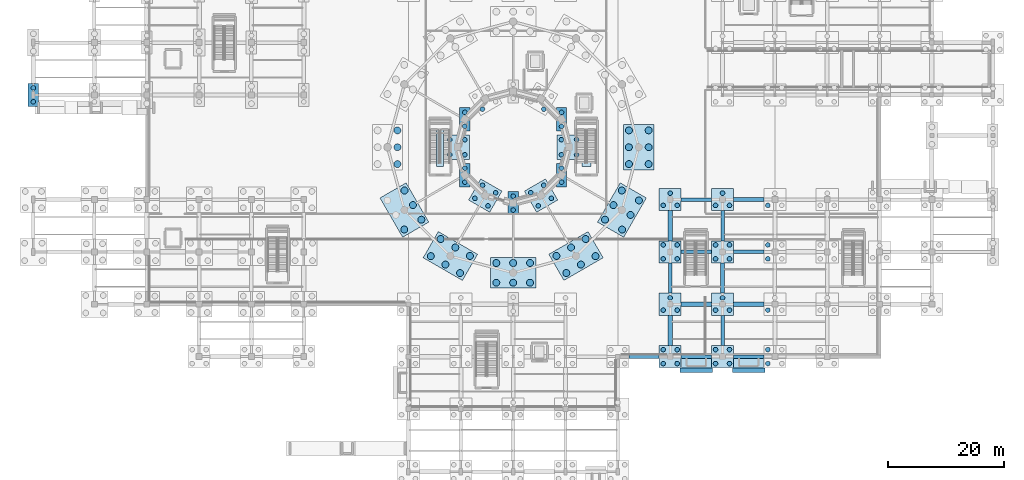
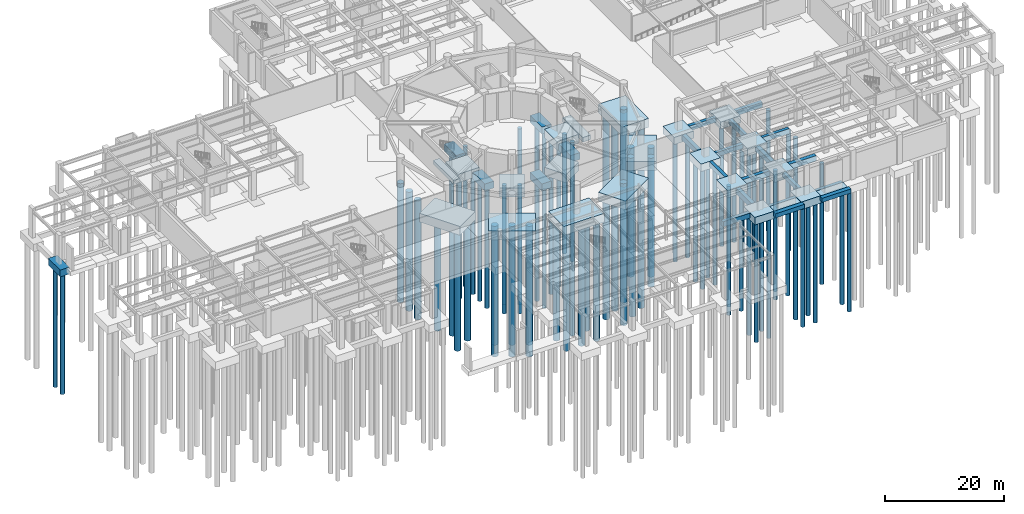
# One storey, part 3 of 36: 101 piles, 45 footings.
"""IFC4 building model written with IfcOpenShell, lengths in metres."""

from ifc_helpers import new_model, si_unit, direction, frame, origin, origin_2d, place, context, subcontext, project, spatial, rectangle, circle, extrude, material, material_profile, profile_set, type_object, element, save


model = new_model("IFC4")

# Units and contexts
model_context = context("Model", 3, precision=1e-05, world=origin(), true_north=direction((0.0, 1.0)))
body_context = subcontext(model_context, "Body", "Model", "MODEL_VIEW")
ifc_project = project(units=[si_unit("LENGTHUNIT", "METRE"), si_unit("AREAUNIT", "SQUARE_METRE"), si_unit("VOLUMEUNIT", "CUBIC_METRE"), si_unit("PLANEANGLEUNIT", "RADIAN"), si_unit("MASSUNIT", "GRAM", prefix="KILO")], contexts=[model_context])

# Site, building, storey
site_placement = place(None, origin())
site = spatial("IfcSite", under=ifc_project, at=site_placement, CompositionType="ELEMENT")
building_placement = place(site_placement, origin())
building = spatial("IfcBuilding", under=site, at=building_placement, Name="Haizhuo Lancet Aquarium", CompositionType="ELEMENT")
storey_placement = place(building_placement, frame((0.0, 0.0, -6.0)))
storey = spatial("IfcBuildingStorey", under=building, at=storey_placement, Name="B1", CompositionType="ELEMENT", Elevation=-6.0)

# Footings
ifc_material = material(Name="Concrete C40/50", Category="concrete")
footing_type_1 = type_object("IfcFootingType", Name="FCAP-PC2A", PredefinedType="PILE_CAP", material=ifc_material)
for number, where, z_axis, x_axis, name in (
    (1, (8.31396484375, 4.800048828125, -1.39990234375), (0.0, 0.0, 1.0), (1.0, 0.0, 0.0), "Pile cap PC-01 14"),
    (2, (-8.31396484375, 4.800048828125, -1.39990234375), (0.0, 0.0, 1.0), (1.0, 0.0, 0.0), "Pile cap PC-01 18"),
    (3, (-8.31396484375, -4.800048828125, -1.39990234375), (0.0, 0.0, 1.0), (1.0, 0.0, 0.0), "Pile cap PC-01 20"),
    (4, (0.0, -9.60009765625, -1.39990234375), (0.0, 0.0, 1.0), (1.0, 0.0, 0.0), "Pile cap PC-01 22"),
    (5, (8.31396484375, -4.800048828125, -1.39990234375), (0.0, 0.0, 1.0), (1.0, 0.0, 0.0), "Pile cap PC-01 24"),
    (6, (-82.5, 9.0, -1.39990234375), (0.0, 0.0, 1.0), (1.0, 0.0, 0.0), "Pile cap PC-01 25"),
):
    element("IfcFooting", number, at=place(storey_placement, frame(where, z_axis=z_axis, x_axis=x_axis)), inside=storey, type_object=footing_type_1, Name=name, PredefinedType="PILE_CAP", context=body_context, shape_type="SweptSolid", body=[
        extrude(rectangle(XDim=1.800048828125, YDim=4.0, at=origin_2d()), origin(), (0.0, 0.0, 1.0), 1.39990234375),
    ])
footing_type_2 = type_object("IfcFootingType", Name="FCAP-PC3A", PredefinedType="PILE_CAP", material=ifc_material)
for number, where, z_axis, x_axis, name in (
    (7, (27.0, -27.0, -1.4501953125), (0.0, 0.0, 1.0), (1.0, 0.0, 0.0), "Pile cap PC-03 43"),
    (8, (27.0, -9.0, -1.4501953125), (0.0, 0.0, 1.0), (1.0, 0.0, 0.0), "Pile cap PC-03 45"),
    (9, (36.0, -27.0, -1.4501953125), (0.0, 0.0, 1.0), (1.0, 0.0, 0.0), "Pile cap PC-03 47"),
    (10, (36.0, -9.0, -1.4501953125), (0.0, 0.0, 1.0), (1.0, 0.0, 0.0), "Pile cap PC-03 49"),
):
    element("IfcFooting", number, at=place(storey_placement, frame(where, z_axis=z_axis, x_axis=x_axis)), inside=storey, type_object=footing_type_2, Name=name, PredefinedType="PILE_CAP", context=body_context, shape_type="SweptSolid", body=[
        extrude(rectangle(XDim=3.800048828125, YDim=3.800048828125, at=origin_2d()), origin(), (0.0, 0.0, 1.0), 1.449951171875),
    ])
footing_type_3 = type_object("IfcFootingType", Name="FCAP-PC4A", PredefinedType="PILE_CAP", material=ifc_material)
for number, where, z_axis, x_axis, name in (
    (11, (27.0, -36.0, -1.5498046875), (0.0, 0.0, 1.0), (1.0, 0.0, 0.0), "Pile cap PC-04 42"),
    (12, (27.0, -18.0, -1.5498046875), (0.0, 0.0, 1.0), (1.0, 0.0, 0.0), "Pile cap PC-04 44"),
    (13, (36.0, -36.0, -1.5498046875), (0.0, 0.0, 1.0), (1.0, 0.0, 0.0), "Pile cap PC-04 46"),
    (14, (36.0, -18.0, -1.5498046875), (0.0, 0.0, 1.0), (1.0, 0.0, 0.0), "Pile cap PC-04 48"),
):
    element("IfcFooting", number, at=place(storey_placement, frame(where, z_axis=z_axis, x_axis=x_axis)), inside=storey, type_object=footing_type_3, Name=name, PredefinedType="PILE_CAP", context=body_context, shape_type="SweptSolid", body=[
        extrude(rectangle(XDim=3.800048828125, YDim=3.800048828125, at=origin_2d()), origin(), (0.0, 0.0, 1.0), 1.550048828125),
    ])
footing_type_4 = type_object("IfcFootingType", Name="FCAP-PC4D", PredefinedType="PILE_CAP", material=ifc_material)
for number, where, z_axis, x_axis, name in (
    (15, (9.60009765625, 0.0, -1.75), (0.0, 0.0, 1.0), (1.0, 0.0, 0.0), "Pile cap PC-07 13"),
    (16, (-9.60009765625, 0.0, -1.75), (0.0, 0.0, 1.0), (-1.0, 0.0, 0.0), "Pile cap PC-07 19"),
    (17, (-4.800048828125, -8.31396484375, -1.75), (0.0, 0.0, 1.0), (-0.5, -0.866025403784, 0.0), "Pile cap PC-07 21"),
    (18, (4.800048828125, -8.31396484375, -1.75), (0.0, 0.0, 1.0), (0.5, -0.866025403784, 0.0), "Pile cap PC-07 23"),
):
    element("IfcFooting", number, at=place(storey_placement, frame(where, z_axis=z_axis, x_axis=x_axis)), inside=storey, type_object=footing_type_4, Name=name, PredefinedType="PILE_CAP", context=body_context, shape_type="SweptSolid", body=[
        extrude(rectangle(XDim=4.199951171875, YDim=4.199951171875, at=origin_2d()), origin(), (0.0, 0.0, 1.0), 1.75),
    ])
footing_type_5 = type_object("IfcFootingType", Name="FCAP-PC6B", PredefinedType="PILE_CAP", material=ifc_material)
for number, where, z_axis, x_axis, name in (
    (19, (21.60009765625, 0.0, -1.7998046875), (0.0, 0.0, 1.0), (1.0, 0.0, 0.0), "Pile cap PC-08 1"),
    (20, (-18.7060546875, -10.800048828125, -1.7998046875), (0.0, 0.0, 1.0), (-0.866025403784, -0.5, 0.0), "Pile cap PC-08 8"),
    (21, (-10.800048828125, -18.7060546875, -1.7998046875), (0.0, 0.0, 1.0), (-0.5, -0.866025403784, 0.0), "Pile cap PC-08 9"),
    (22, (0.0, -21.60009765625, -1.7998046875), (0.0, 0.0, 1.0), (0.0, -1.0, 0.0), "Pile cap PC-08 10"),
    (23, (10.800048828125, -18.7060546875, -1.7998046875), (0.0, 0.0, 1.0), (0.5, -0.866025403784, 0.0), "Pile cap PC-08 11"),
    (24, (18.7060546875, -10.800048828125, -1.7998046875), (0.0, 0.0, 1.0), (0.866025403784, -0.5, 0.0), "Pile cap PC-08 12"),
):
    element("IfcFooting", number, at=place(storey_placement, frame(where, z_axis=z_axis, x_axis=x_axis)), inside=storey, type_object=footing_type_5, Name=name, PredefinedType="PILE_CAP", context=body_context, shape_type="SweptSolid", body=[
        extrude(rectangle(XDim=5.199951171875, YDim=7.800048828125, at=origin_2d()), origin(), (0.0, 0.0, 1.0), 1.800048828125),
    ])
footing_type_6 = type_object("IfcFootingType", Name="FPAD-2200", PredefinedType="PAD_FOOTING", material=ifc_material)
footing_1_placement = place(storey_placement, frame((31.5, -38.31005859375, -0.85009765625), z_axis=(0.0, 0.0, 1.0), x_axis=(1.0, 0.0, 0.0)))
element("IfcFooting", 25, at=footing_1_placement, inside=storey, type_object=footing_type_6, material=ifc_material, Name="Entrance apron footing 6.1", PredefinedType="PAD_FOOTING", context=body_context, shape_type="SweptSolid", body=[
    extrude(rectangle(XDim=5.60009765625, YDim=0.780029296875, at=origin_2d()), origin(), (0.0, 0.0, 1.0), 0.85009765625),
])
footing_2_placement = place(storey_placement, frame((31.5, -37.1201171875, -0.85009765625), z_axis=(0.0, 0.0, 1.0), x_axis=(1.0, 0.0, 0.0)))
element("IfcFooting", 26, at=footing_2_placement, inside=storey, type_object=footing_type_6, material=ifc_material, Name="Entrance apron footing 6.2", PredefinedType="PAD_FOOTING", context=body_context, shape_type="SweptSolid", body=[
    extrude(rectangle(XDim=5.159912109375, YDim=1.60009765625, at=origin_2d()), origin(), (0.0, 0.0, 1.0), 0.85009765625),
])
footing_3_placement = place(storey_placement, frame((40.5, -38.31005859375, -0.85009765625), z_axis=(0.0, 0.0, 1.0), x_axis=(1.0, 0.0, 0.0)))
element("IfcFooting", 27, at=footing_3_placement, inside=storey, type_object=footing_type_6, material=ifc_material, Name="Entrance apron footing 7.1", PredefinedType="PAD_FOOTING", context=body_context, shape_type="SweptSolid", body=[
    extrude(rectangle(XDim=5.60009765625, YDim=0.780029296875, at=origin_2d()), origin(), (0.0, 0.0, 1.0), 0.85009765625),
])
footing_4_placement = place(storey_placement, frame((40.5, -37.1201171875, -0.85009765625), z_axis=(0.0, 0.0, 1.0), x_axis=(1.0, 0.0, 0.0)))
element("IfcFooting", 28, at=footing_4_placement, inside=storey, type_object=footing_type_6, material=ifc_material, Name="Entrance apron footing 7.2", PredefinedType="PAD_FOOTING", context=body_context, shape_type="SweptSolid", body=[
    extrude(rectangle(XDim=5.159912109375, YDim=1.60009765625, at=origin_2d()), origin(), (0.0, 0.0, 1.0), 0.85009765625),
])
footing_type_7 = type_object("IfcFootingType", Name="FSF-1200x800", PredefinedType="STRIP_FOOTING", material=ifc_material)
footing_5_placement = place(storey_placement, frame((-12.60009765625, 0.125, -0.7998046875), z_axis=(0.0, 0.0, 1.0), x_axis=(0.0, 1.0, 0.0)))
element("IfcFooting", 29, at=footing_5_placement, inside=storey, type_object=footing_type_7, Name="Core wall strip footing 1", PredefinedType="STRIP_FOOTING", context=body_context, shape_type="SweptSolid", body=[
    extrude(rectangle(XDim=6.800048828125, YDim=1.199951171875, at=origin_2d()), origin(), (0.0, 0.0, 1.0), 0.800048828125),
])
footing_type_8 = type_object("IfcFootingType", Name="FSF-1500x900", PredefinedType="STRIP_FOOTING", material=ifc_material)
footing_6_placement = place(storey_placement, frame((12.60009765625, 0.125, -0.89990234375), z_axis=(0.0, 0.0, 1.0), x_axis=(0.0, 1.0, 0.0)))
element("IfcFooting", 30, at=footing_6_placement, inside=storey, type_object=footing_type_8, Name="Core wall strip footing 2", PredefinedType="STRIP_FOOTING", context=body_context, shape_type="SweptSolid", body=[
    extrude(rectangle(XDim=6.800048828125, YDim=1.5, at=origin_2d()), origin(), (0.0, 0.0, 1.0), 0.89990234375),
])
footing_type_9 = type_object("IfcFootingType", Name="FTB-600x1000", PredefinedType="FOOTING_BEAM", material=ifc_material)
for number, where, z_axis, x_axis, name in (
    (31, (27.0, -22.5, -1.0), (0.0, 0.0, 1.0), (0.0, 1.0, 0.0), "Foundation tie beam 122"),
    (32, (31.5, -9.0, -1.0), (0.0, 0.0, 1.0), (1.0, 0.0, 0.0), "Foundation tie beam 126"),
    (33, (40.5, -36.0, -1.0), (0.0, 0.0, 1.0), (1.0, 0.0, 0.0), "Foundation tie beam 130"),
    (34, (40.5, -18.0, -1.0), (0.0, 0.0, 1.0), (1.0, 0.0, 0.0), "Foundation tie beam 134"),
):
    element("IfcFooting", number, at=place(storey_placement, frame(where, z_axis=z_axis, x_axis=x_axis)), inside=storey, type_object=footing_type_9, Name=name, PredefinedType="FOOTING_BEAM", context=body_context, shape_type="SweptSolid", body=[
        extrude(rectangle(XDim=5.199951171875, YDim=0.60009765625, at=origin_2d()), origin(), (0.0, 0.0, 1.0), 1.0),
    ])
footing_type_10 = type_object("IfcFootingType", Name="FTB-600x900", PredefinedType="FOOTING_BEAM", material=ifc_material)
for number, where, z_axis, x_axis, name in (
    (35, (31.5, -36.0, -0.89990234375), (0.0, 0.0, 1.0), (1.0, 0.0, 0.0), "Foundation tie beam 121"),
    (36, (31.5, -18.0, -0.89990234375), (0.0, 0.0, 1.0), (1.0, 0.0, 0.0), "Foundation tie beam 125"),
    (37, (36.0, -31.5, -0.89990234375), (0.0, 0.0, 1.0), (0.0, 1.0, 0.0), "Foundation tie beam 129"),
    (38, (36.0, -13.5, -0.89990234375), (0.0, 0.0, 1.0), (0.0, 1.0, 0.0), "Foundation tie beam 133"),
):
    element("IfcFooting", number, at=place(storey_placement, frame(where, z_axis=z_axis, x_axis=x_axis)), inside=storey, type_object=footing_type_10, Name=name, PredefinedType="FOOTING_BEAM", context=body_context, shape_type="SweptSolid", body=[
        extrude(rectangle(XDim=5.199951171875, YDim=0.60009765625, at=origin_2d()), origin(), (0.0, 0.0, 1.0), 0.89990234375),
    ])
footing_type_11 = type_object("IfcFootingType", Name="FTB-700x1050", PredefinedType="FOOTING_BEAM", material=ifc_material)
for number, where, z_axis, x_axis, name in (
    (39, (22.5, -36.0, -1.0498046875), (0.0, 0.0, 1.0), (1.0, 0.0, 0.0), "Foundation tie beam 115"),
    (40, (31.5, -27.0, -1.0498046875), (0.0, 0.0, 1.0), (1.0, 0.0, 0.0), "Foundation tie beam 123"),
    (41, (36.0, -22.5, -1.0498046875), (0.0, 0.0, 1.0), (0.0, 1.0, 0.0), "Foundation tie beam 131"),
    (42, (40.5, -9.0, -1.0498046875), (0.0, 0.0, 1.0), (1.0, 0.0, 0.0), "Foundation tie beam 135"),
):
    element("IfcFooting", number, at=place(storey_placement, frame(where, z_axis=z_axis, x_axis=x_axis)), inside=storey, type_object=footing_type_11, Name=name, PredefinedType="FOOTING_BEAM", context=body_context, shape_type="SweptSolid", body=[
        extrude(rectangle(XDim=5.199951171875, YDim=0.699951171875, at=origin_2d()), origin(), (0.0, 0.0, 1.0), 1.050048828125),
    ])
footing_type_12 = type_object("IfcFootingType", Name="FTB-750x1100", PredefinedType="FOOTING_BEAM", material=ifc_material)
for number, where, z_axis, x_axis, name in (
    (43, (27.0, -31.5, -1.10009765625), (0.0, 0.0, 1.0), (0.0, 1.0, 0.0), "Foundation tie beam 120"),
    (44, (27.0, -13.5, -1.10009765625), (0.0, 0.0, 1.0), (0.0, 1.0, 0.0), "Foundation tie beam 124"),
    (45, (40.5, -27.0, -1.10009765625), (0.0, 0.0, 1.0), (1.0, 0.0, 0.0), "Foundation tie beam 132"),
):
    element("IfcFooting", number, at=place(storey_placement, frame(where, z_axis=z_axis, x_axis=x_axis)), inside=storey, type_object=footing_type_12, Name=name, PredefinedType="FOOTING_BEAM", context=body_context, shape_type="SweptSolid", body=[
        extrude(rectangle(XDim=5.199951171875, YDim=0.75, at=origin_2d()), origin(), (0.0, 0.0, 1.0), 1.10009765625),
    ])

# Piles
ifc_material_profile_1 = material_profile(ifc_material, circle(Radius=0.60009765625, at=origin_2d()), Name="PILE-1200")
ifc_profile_set_1 = profile_set([ifc_material_profile_1], Name="Concrete C40/50")
pile_type_1 = type_object("IfcPileType", Name="PILE-BORED-1200", PredefinedType="BORED", material=ifc_profile_set_1)
for number, where, z_axis, x_axis, name in (
    (46, (19.89990234375, -2.89990234375, -1.64990234375), (0.0, 0.0, -1.0), (1.0, 0.0, 0.0), "Bored pile P-03 1.1"),
    (47, (23.300048828125, -2.89990234375, -1.64990234375), (0.0, 0.0, -1.0), (1.0, 0.0, 0.0), "Bored pile P-03 1.2"),
    (48, (19.89990234375, 0.0, -1.64990234375), (0.0, 0.0, -1.0), (1.0, 0.0, 0.0), "Bored pile P-03 1.3"),
    (49, (23.300048828125, 0.0, -1.64990234375), (0.0, 0.0, -1.0), (1.0, 0.0, 0.0), "Bored pile P-03 1.4"),
    (50, (19.89990234375, 2.89990234375, -1.64990234375), (0.0, 0.0, -1.0), (1.0, 0.0, 0.0), "Bored pile P-03 1.5"),
    (51, (23.300048828125, 2.89990234375, -1.64990234375), (0.0, 0.0, -1.0), (1.0, 0.0, 0.0), "Bored pile P-03 1.6"),
    (52, (-19.89990234375, 2.89990234375, -1.64990234375), (0.0, 0.0, -1.0), (1.0, 0.0, 0.0), "Bored pile P-03 7.1"),
    (53, (-19.89990234375, 0.0, -1.64990234375), (0.0, 0.0, -1.0), (1.0, 0.0, 0.0), "Bored pile P-03 7.3"),
    (54, (-19.89990234375, -2.89990234375, -1.64990234375), (0.0, 0.0, -1.0), (1.0, 0.0, 0.0), "Bored pile P-03 7.5"),
    (55, (-18.68408203125, -7.43896484375, -1.64990234375), (0.0, 0.0, -1.0), (1.0, 0.0, 0.0), "Bored pile P-03 8.1"),
    (56, (-17.23388671875, -9.949951171875, -1.64990234375), (0.0, 0.0, -1.0), (1.0, 0.0, 0.0), "Bored pile P-03 8.3"),
    (57, (-15.783935546875, -12.4609375, -1.64990234375), (0.0, 0.0, -1.0), (1.0, 0.0, 0.0), "Bored pile P-03 8.5"),
    (58, (-18.72802734375, -14.160888671875, -1.64990234375), (0.0, 0.0, -1.0), (1.0, 0.0, 0.0), "Bored pile P-03 8.6"),
    (59, (-12.4609375, -15.783935546875, -1.64990234375), (0.0, 0.0, -1.0), (1.0, 0.0, 0.0), "Bored pile P-03 9.1"),
    (60, (-14.160888671875, -18.72802734375, -1.64990234375), (0.0, 0.0, -1.0), (1.0, 0.0, 0.0), "Bored pile P-03 9.2"),
    (61, (-9.949951171875, -17.23388671875, -1.64990234375), (0.0, 0.0, -1.0), (1.0, 0.0, 0.0), "Bored pile P-03 9.3"),
    (62, (-11.64990234375, -20.177978515625, -1.64990234375), (0.0, 0.0, -1.0), (1.0, 0.0, 0.0), "Bored pile P-03 9.4"),
    (63, (-7.43896484375, -18.68408203125, -1.64990234375), (0.0, 0.0, -1.0), (1.0, 0.0, 0.0), "Bored pile P-03 9.5"),
    (64, (-9.138916015625, -21.6279296875, -1.64990234375), (0.0, 0.0, -1.0), (1.0, 0.0, 0.0), "Bored pile P-03 9.6"),
    (65, (-2.89990234375, -19.89990234375, -1.64990234375), (0.0, 0.0, -1.0), (1.0, 0.0, 0.0), "Bored pile P-03 10.1"),
    (66, (-2.89990234375, -23.300048828125, -1.64990234375), (0.0, 0.0, -1.0), (1.0, 0.0, 0.0), "Bored pile P-03 10.2"),
    (67, (0.0, -19.89990234375, -1.64990234375), (0.0, 0.0, -1.0), (1.0, 0.0, 0.0), "Bored pile P-03 10.3"),
    (68, (0.0, -23.300048828125, -1.64990234375), (0.0, 0.0, -1.0), (1.0, 0.0, 0.0), "Bored pile P-03 10.4"),
    (69, (2.89990234375, -19.89990234375, -1.64990234375), (0.0, 0.0, -1.0), (1.0, 0.0, 0.0), "Bored pile P-03 10.5"),
    (70, (2.89990234375, -23.300048828125, -1.64990234375), (0.0, 0.0, -1.0), (1.0, 0.0, 0.0), "Bored pile P-03 10.6"),
    (71, (7.43896484375, -18.68408203125, -1.64990234375), (0.0, 0.0, -1.0), (1.0, 0.0, 0.0), "Bored pile P-03 11.1"),
    (72, (9.138916015625, -21.6279296875, -1.64990234375), (0.0, 0.0, -1.0), (1.0, 0.0, 0.0), "Bored pile P-03 11.2"),
    (73, (9.949951171875, -17.23388671875, -1.64990234375), (0.0, 0.0, -1.0), (1.0, 0.0, 0.0), "Bored pile P-03 11.3"),
    (74, (11.64990234375, -20.177978515625, -1.64990234375), (0.0, 0.0, -1.0), (1.0, 0.0, 0.0), "Bored pile P-03 11.4"),
    (75, (12.4609375, -15.783935546875, -1.64990234375), (0.0, 0.0, -1.0), (1.0, 0.0, 0.0), "Bored pile P-03 11.5"),
    (76, (14.160888671875, -18.72802734375, -1.64990234375), (0.0, 0.0, -1.0), (1.0, 0.0, 0.0), "Bored pile P-03 11.6"),
    (77, (15.783935546875, -12.4609375, -1.64990234375), (0.0, 0.0, -1.0), (1.0, 0.0, 0.0), "Bored pile P-03 12.1"),
    (78, (18.72802734375, -14.160888671875, -1.64990234375), (0.0, 0.0, -1.0), (1.0, 0.0, 0.0), "Bored pile P-03 12.2"),
    (79, (17.23388671875, -9.949951171875, -1.64990234375), (0.0, 0.0, -1.0), (1.0, 0.0, 0.0), "Bored pile P-03 12.3"),
    (80, (20.177978515625, -11.64990234375, -1.64990234375), (0.0, 0.0, -1.0), (1.0, 0.0, 0.0), "Bored pile P-03 12.4"),
    (81, (18.68408203125, -7.43896484375, -1.64990234375), (0.0, 0.0, -1.0), (1.0, 0.0, 0.0), "Bored pile P-03 12.5"),
    (82, (21.6279296875, -9.138916015625, -1.64990234375), (0.0, 0.0, -1.0), (1.0, 0.0, 0.0), "Bored pile P-03 12.6"),
):
    element("IfcPile", number, at=place(storey_placement, frame(where, z_axis=z_axis, x_axis=x_axis)), inside=storey, type_object=pile_type_1, Name=name, PredefinedType="BORED", context=body_context, shape_type="SweptSolid", body=[
        extrude(circle(Radius=0.60009765625, at=origin_2d()), origin(), (0.0, 0.0, 1.0), 24.35009765625),
    ])
ifc_material_profile_2 = material_profile(ifc_material, circle(Radius=0.39990234375, at=origin_2d()), Name="PILE-800")
ifc_profile_set_2 = profile_set([ifc_material_profile_2], Name="Concrete C40/50")
pile_type_2 = type_object("IfcPileType", Name="PILE-BORED-800", PredefinedType="BORED", material=ifc_profile_set_2)
for number, where, z_axis, x_axis, name in (
    (83, (8.300048828125, -1.300048828125, -1.60009765625), (0.0, 0.0, -1.0), (1.0, 0.0, 0.0), "Bored pile P-01 13.1"),
    (84, (10.89990234375, -1.300048828125, -1.60009765625), (0.0, 0.0, -1.0), (1.0, 0.0, 0.0), "Bored pile P-01 13.2"),
    (85, (8.300048828125, 1.300048828125, -1.60009765625), (0.0, 0.0, -1.0), (1.0, 0.0, 0.0), "Bored pile P-01 13.3"),
    (86, (10.89990234375, 1.300048828125, -1.60009765625), (0.0, 0.0, -1.0), (1.0, 0.0, 0.0), "Bored pile P-01 13.4"),
):
    element("IfcPile", number, at=place(storey_placement, frame(where, z_axis=z_axis, x_axis=x_axis)), inside=storey, type_object=pile_type_2, Name=name, PredefinedType="BORED", context=body_context, shape_type="SweptSolid", body=[
        extrude(circle(Radius=0.39990234375, at=origin_2d()), origin(), (0.0, 0.0, 1.0), 24.39990234375),
    ])
for number, where, z_axis, x_axis, name in (
    (87, (8.31396484375, 3.60009765625, -1.25), (0.0, 0.0, -1.0), (1.0, 0.0, 0.0), "Bored pile P-01 14.1"),
    (88, (8.31396484375, 6.0, -1.25), (0.0, 0.0, -1.0), (1.0, 0.0, 0.0), "Bored pile P-01 14.2"),
):
    element("IfcPile", number, at=place(storey_placement, frame(where, z_axis=z_axis, x_axis=x_axis)), inside=storey, type_object=pile_type_2, Name=name, PredefinedType="BORED", context=body_context, shape_type="SweptSolid", body=[
        extrude(circle(Radius=0.39990234375, at=origin_2d()), origin(), (0.0, 0.0, 1.0), 24.75),
    ])
for number, where, z_axis, x_axis, name in (
    (89, (5.27587890625, 6.5380859375, -1.60009765625), (0.0, 0.0, -1.0), (1.0, 0.0, 0.0), "Bored pile P-01 15.1"),
    (90, (-5.27587890625, 6.5380859375, -1.60009765625), (0.0, 0.0, -1.0), (1.0, 0.0, 0.0), "Bored pile P-01 17.3"),
):
    element("IfcPile", number, at=place(storey_placement, frame(where, z_axis=z_axis, x_axis=x_axis)), inside=storey, type_object=pile_type_2, Name=name, PredefinedType="BORED", context=body_context, shape_type="SweptSolid", body=[
        extrude(circle(Radius=0.39990234375, at=origin_2d()), origin(), (0.0, 0.0, 1.0), 24.39990234375),
    ])
for number, where, z_axis, x_axis, name in (
    (91, (-8.31396484375, 3.60009765625, -1.25), (0.0, 0.0, -1.0), (1.0, 0.0, 0.0), "Bored pile P-01 18.1"),
    (92, (-8.31396484375, 6.0, -1.25), (0.0, 0.0, -1.0), (1.0, 0.0, 0.0), "Bored pile P-01 18.2"),
):
    element("IfcPile", number, at=place(storey_placement, frame(where, z_axis=z_axis, x_axis=x_axis)), inside=storey, type_object=pile_type_2, Name=name, PredefinedType="BORED", context=body_context, shape_type="SweptSolid", body=[
        extrude(circle(Radius=0.39990234375, at=origin_2d()), origin(), (0.0, 0.0, 1.0), 24.75),
    ])
for number, where, z_axis, x_axis, name in (
    (93, (-8.300048828125, 1.300048828125, -1.60009765625), (0.0, 0.0, -1.0), (1.0, 0.0, 0.0), "Bored pile P-01 19.1"),
    (94, (-10.89990234375, 1.300048828125, -1.60009765625), (0.0, 0.0, -1.0), (1.0, 0.0, 0.0), "Bored pile P-01 19.2"),
    (95, (-8.300048828125, -1.300048828125, -1.60009765625), (0.0, 0.0, -1.0), (1.0, 0.0, 0.0), "Bored pile P-01 19.3"),
    (96, (-10.89990234375, -1.300048828125, -1.60009765625), (0.0, 0.0, -1.0), (1.0, 0.0, 0.0), "Bored pile P-01 19.4"),
):
    element("IfcPile", number, at=place(storey_placement, frame(where, z_axis=z_axis, x_axis=x_axis)), inside=storey, type_object=pile_type_2, Name=name, PredefinedType="BORED", context=body_context, shape_type="SweptSolid", body=[
        extrude(circle(Radius=0.39990234375, at=origin_2d()), origin(), (0.0, 0.0, 1.0), 24.39990234375),
    ])
for number, where, z_axis, x_axis, name in (
    (97, (-8.31396484375, -6.0, -1.25), (0.0, 0.0, -1.0), (1.0, 0.0, 0.0), "Bored pile P-01 20.1"),
    (98, (-8.31396484375, -3.60009765625, -1.25), (0.0, 0.0, -1.0), (1.0, 0.0, 0.0), "Bored pile P-01 20.2"),
):
    element("IfcPile", number, at=place(storey_placement, frame(where, z_axis=z_axis, x_axis=x_axis)), inside=storey, type_object=pile_type_2, Name=name, PredefinedType="BORED", context=body_context, shape_type="SweptSolid", body=[
        extrude(circle(Radius=0.39990234375, at=origin_2d()), origin(), (0.0, 0.0, 1.0), 24.75),
    ])
for number, where, z_axis, x_axis, name in (
    (99, (-5.27587890625, -6.5380859375, -1.60009765625), (0.0, 0.0, -1.0), (1.0, 0.0, 0.0), "Bored pile P-01 21.1"),
    (100, (-6.575927734375, -8.7900390625, -1.60009765625), (0.0, 0.0, -1.0), (1.0, 0.0, 0.0), "Bored pile P-01 21.2"),
    (101, (-3.02392578125, -7.837890625, -1.60009765625), (0.0, 0.0, -1.0), (1.0, 0.0, 0.0), "Bored pile P-01 21.3"),
    (102, (-4.323974609375, -10.090087890625, -1.60009765625), (0.0, 0.0, -1.0), (1.0, 0.0, 0.0), "Bored pile P-01 21.4"),
):
    element("IfcPile", number, at=place(storey_placement, frame(where, z_axis=z_axis, x_axis=x_axis)), inside=storey, type_object=pile_type_2, Name=name, PredefinedType="BORED", context=body_context, shape_type="SweptSolid", body=[
        extrude(circle(Radius=0.39990234375, at=origin_2d()), origin(), (0.0, 0.0, 1.0), 24.39990234375),
    ])
for number, where, z_axis, x_axis, name in (
    (103, (0.0, -10.800048828125, -1.25), (0.0, 0.0, -1.0), (1.0, 0.0, 0.0), "Bored pile P-01 22.1"),
    (104, (0.0, -8.39990234375, -1.25), (0.0, 0.0, -1.0), (1.0, 0.0, 0.0), "Bored pile P-01 22.2"),
):
    element("IfcPile", number, at=place(storey_placement, frame(where, z_axis=z_axis, x_axis=x_axis)), inside=storey, type_object=pile_type_2, Name=name, PredefinedType="BORED", context=body_context, shape_type="SweptSolid", body=[
        extrude(circle(Radius=0.39990234375, at=origin_2d()), origin(), (0.0, 0.0, 1.0), 24.75),
    ])
for number, where, z_axis, x_axis, name in (
    (105, (3.02392578125, -7.837890625, -1.60009765625), (0.0, 0.0, -1.0), (1.0, 0.0, 0.0), "Bored pile P-01 23.1"),
    (106, (4.323974609375, -10.090087890625, -1.60009765625), (0.0, 0.0, -1.0), (1.0, 0.0, 0.0), "Bored pile P-01 23.2"),
    (107, (5.27587890625, -6.5380859375, -1.60009765625), (0.0, 0.0, -1.0), (1.0, 0.0, 0.0), "Bored pile P-01 23.3"),
    (108, (6.575927734375, -8.7900390625, -1.60009765625), (0.0, 0.0, -1.0), (1.0, 0.0, 0.0), "Bored pile P-01 23.4"),
):
    element("IfcPile", number, at=place(storey_placement, frame(where, z_axis=z_axis, x_axis=x_axis)), inside=storey, type_object=pile_type_2, Name=name, PredefinedType="BORED", context=body_context, shape_type="SweptSolid", body=[
        extrude(circle(Radius=0.39990234375, at=origin_2d()), origin(), (0.0, 0.0, 1.0), 24.39990234375),
    ])
for number, where, z_axis, x_axis, name in (
    (109, (8.31396484375, -6.0, -1.25), (0.0, 0.0, -1.0), (1.0, 0.0, 0.0), "Bored pile P-01 24.1"),
    (110, (8.31396484375, -3.60009765625, -1.25), (0.0, 0.0, -1.0), (1.0, 0.0, 0.0), "Bored pile P-01 24.2"),
    (111, (-82.5, 7.800048828125, -1.25), (0.0, 0.0, -1.0), (1.0, 0.0, 0.0), "Bored pile P-01 25.1"),
    (112, (-82.5, 10.199951171875, -1.25), (0.0, 0.0, -1.0), (1.0, 0.0, 0.0), "Bored pile P-01 25.2"),
):
    element("IfcPile", number, at=place(storey_placement, frame(where, z_axis=z_axis, x_axis=x_axis)), inside=storey, type_object=pile_type_2, Name=name, PredefinedType="BORED", context=body_context, shape_type="SweptSolid", body=[
        extrude(circle(Radius=0.39990234375, at=origin_2d()), origin(), (0.0, 0.0, 1.0), 24.75),
    ])
for number, where, z_axis, x_axis, name in (
    (113, (25.800048828125, -37.199951171875, -1.39990234375), (0.0, 0.0, -1.0), (1.0, 0.0, 0.0), "Bored pile P-01 42.1"),
    (114, (28.199951171875, -37.199951171875, -1.39990234375), (0.0, 0.0, -1.0), (1.0, 0.0, 0.0), "Bored pile P-01 42.2"),
    (115, (25.800048828125, -34.800048828125, -1.39990234375), (0.0, 0.0, -1.0), (1.0, 0.0, 0.0), "Bored pile P-01 42.3"),
    (116, (28.199951171875, -34.800048828125, -1.39990234375), (0.0, 0.0, -1.0), (1.0, 0.0, 0.0), "Bored pile P-01 42.4"),
):
    element("IfcPile", number, at=place(storey_placement, frame(where, z_axis=z_axis, x_axis=x_axis)), inside=storey, type_object=pile_type_2, Name=name, PredefinedType="BORED", context=body_context, shape_type="SweptSolid", body=[
        extrude(circle(Radius=0.39990234375, at=origin_2d()), origin(), (0.0, 0.0, 1.0), 24.60009765625),
    ])
for number, where, z_axis, x_axis, name in (
    (117, (25.800048828125, -28.0, -1.300048828125), (0.0, 0.0, -1.0), (1.0, 0.0, 0.0), "Bored pile P-01 43.1"),
    (118, (28.199951171875, -28.0, -1.300048828125), (0.0, 0.0, -1.0), (1.0, 0.0, 0.0), "Bored pile P-01 43.2"),
    (119, (27.0, -25.89990234375, -1.300048828125), (0.0, 0.0, -1.0), (1.0, 0.0, 0.0), "Bored pile P-01 43.3"),
):
    element("IfcPile", number, at=place(storey_placement, frame(where, z_axis=z_axis, x_axis=x_axis)), inside=storey, type_object=pile_type_2, Name=name, PredefinedType="BORED", context=body_context, shape_type="SweptSolid", body=[
        extrude(circle(Radius=0.39990234375, at=origin_2d()), origin(), (0.0, 0.0, 1.0), 24.699951171875),
    ])
for number, where, z_axis, x_axis, name in (
    (120, (25.800048828125, -19.199951171875, -1.39990234375), (0.0, 0.0, -1.0), (1.0, 0.0, 0.0), "Bored pile P-01 44.1"),
    (121, (28.199951171875, -19.199951171875, -1.39990234375), (0.0, 0.0, -1.0), (1.0, 0.0, 0.0), "Bored pile P-01 44.2"),
    (122, (25.800048828125, -16.800048828125, -1.39990234375), (0.0, 0.0, -1.0), (1.0, 0.0, 0.0), "Bored pile P-01 44.3"),
    (123, (28.199951171875, -16.800048828125, -1.39990234375), (0.0, 0.0, -1.0), (1.0, 0.0, 0.0), "Bored pile P-01 44.4"),
):
    element("IfcPile", number, at=place(storey_placement, frame(where, z_axis=z_axis, x_axis=x_axis)), inside=storey, type_object=pile_type_2, Name=name, PredefinedType="BORED", context=body_context, shape_type="SweptSolid", body=[
        extrude(circle(Radius=0.39990234375, at=origin_2d()), origin(), (0.0, 0.0, 1.0), 24.60009765625),
    ])
for number, where, z_axis, x_axis, name in (
    (124, (25.800048828125, -10.0, -1.300048828125), (0.0, 0.0, -1.0), (1.0, 0.0, 0.0), "Bored pile P-01 45.1"),
    (125, (28.199951171875, -10.0, -1.300048828125), (0.0, 0.0, -1.0), (1.0, 0.0, 0.0), "Bored pile P-01 45.2"),
    (126, (27.0, -7.89990234375, -1.300048828125), (0.0, 0.0, -1.0), (1.0, 0.0, 0.0), "Bored pile P-01 45.3"),
):
    element("IfcPile", number, at=place(storey_placement, frame(where, z_axis=z_axis, x_axis=x_axis)), inside=storey, type_object=pile_type_2, Name=name, PredefinedType="BORED", context=body_context, shape_type="SweptSolid", body=[
        extrude(circle(Radius=0.39990234375, at=origin_2d()), origin(), (0.0, 0.0, 1.0), 24.699951171875),
    ])
for number, where, z_axis, x_axis, name in (
    (127, (34.800048828125, -37.199951171875, -1.39990234375), (0.0, 0.0, -1.0), (1.0, 0.0, 0.0), "Bored pile P-01 46.1"),
    (128, (37.199951171875, -37.199951171875, -1.39990234375), (0.0, 0.0, -1.0), (1.0, 0.0, 0.0), "Bored pile P-01 46.2"),
    (129, (34.800048828125, -34.800048828125, -1.39990234375), (0.0, 0.0, -1.0), (1.0, 0.0, 0.0), "Bored pile P-01 46.3"),
    (130, (37.199951171875, -34.800048828125, -1.39990234375), (0.0, 0.0, -1.0), (1.0, 0.0, 0.0), "Bored pile P-01 46.4"),
):
    element("IfcPile", number, at=place(storey_placement, frame(where, z_axis=z_axis, x_axis=x_axis)), inside=storey, type_object=pile_type_2, Name=name, PredefinedType="BORED", context=body_context, shape_type="SweptSolid", body=[
        extrude(circle(Radius=0.39990234375, at=origin_2d()), origin(), (0.0, 0.0, 1.0), 24.60009765625),
    ])
for number, where, z_axis, x_axis, name in (
    (131, (34.800048828125, -28.0, -1.300048828125), (0.0, 0.0, -1.0), (1.0, 0.0, 0.0), "Bored pile P-01 47.1"),
    (132, (37.199951171875, -28.0, -1.300048828125), (0.0, 0.0, -1.0), (1.0, 0.0, 0.0), "Bored pile P-01 47.2"),
    (133, (36.0, -25.89990234375, -1.300048828125), (0.0, 0.0, -1.0), (1.0, 0.0, 0.0), "Bored pile P-01 47.3"),
):
    element("IfcPile", number, at=place(storey_placement, frame(where, z_axis=z_axis, x_axis=x_axis)), inside=storey, type_object=pile_type_2, Name=name, PredefinedType="BORED", context=body_context, shape_type="SweptSolid", body=[
        extrude(circle(Radius=0.39990234375, at=origin_2d()), origin(), (0.0, 0.0, 1.0), 24.699951171875),
    ])
for number, where, z_axis, x_axis, name in (
    (134, (34.800048828125, -19.199951171875, -1.39990234375), (0.0, 0.0, -1.0), (1.0, 0.0, 0.0), "Bored pile P-01 48.1"),
    (135, (37.199951171875, -19.199951171875, -1.39990234375), (0.0, 0.0, -1.0), (1.0, 0.0, 0.0), "Bored pile P-01 48.2"),
    (136, (34.800048828125, -16.800048828125, -1.39990234375), (0.0, 0.0, -1.0), (1.0, 0.0, 0.0), "Bored pile P-01 48.3"),
    (137, (37.199951171875, -16.800048828125, -1.39990234375), (0.0, 0.0, -1.0), (1.0, 0.0, 0.0), "Bored pile P-01 48.4"),
):
    element("IfcPile", number, at=place(storey_placement, frame(where, z_axis=z_axis, x_axis=x_axis)), inside=storey, type_object=pile_type_2, Name=name, PredefinedType="BORED", context=body_context, shape_type="SweptSolid", body=[
        extrude(circle(Radius=0.39990234375, at=origin_2d()), origin(), (0.0, 0.0, 1.0), 24.60009765625),
    ])
for number, where, z_axis, x_axis, name in (
    (138, (34.800048828125, -10.0, -1.300048828125), (0.0, 0.0, -1.0), (1.0, 0.0, 0.0), "Bored pile P-01 49.1"),
    (139, (37.199951171875, -10.0, -1.300048828125), (0.0, 0.0, -1.0), (1.0, 0.0, 0.0), "Bored pile P-01 49.2"),
    (140, (36.0, -7.89990234375, -1.300048828125), (0.0, 0.0, -1.0), (1.0, 0.0, 0.0), "Bored pile P-01 49.3"),
):
    element("IfcPile", number, at=place(storey_placement, frame(where, z_axis=z_axis, x_axis=x_axis)), inside=storey, type_object=pile_type_2, Name=name, PredefinedType="BORED", context=body_context, shape_type="SweptSolid", body=[
        extrude(circle(Radius=0.39990234375, at=origin_2d()), origin(), (0.0, 0.0, 1.0), 24.699951171875),
    ])
for number, where, z_axis, x_axis, name in (
    (141, (43.800048828125, -37.199951171875, -1.39990234375), (0.0, 0.0, -1.0), (1.0, 0.0, 0.0), "Bored pile P-01 50.1"),
    (142, (43.800048828125, -34.800048828125, -1.39990234375), (0.0, 0.0, -1.0), (1.0, 0.0, 0.0), "Bored pile P-01 50.3"),
):
    element("IfcPile", number, at=place(storey_placement, frame(where, z_axis=z_axis, x_axis=x_axis)), inside=storey, type_object=pile_type_2, Name=name, PredefinedType="BORED", context=body_context, shape_type="SweptSolid", body=[
        extrude(circle(Radius=0.39990234375, at=origin_2d()), origin(), (0.0, 0.0, 1.0), 24.60009765625),
    ])
pile_1_placement = place(storey_placement, frame((43.800048828125, -28.0, -1.300048828125), z_axis=(0.0, 0.0, -1.0), x_axis=(1.0, 0.0, 0.0)))
element("IfcPile", 143, at=pile_1_placement, inside=storey, type_object=pile_type_2, Name="Bored pile P-01 51.1", PredefinedType="BORED", context=body_context, shape_type="SweptSolid", body=[
    extrude(circle(Radius=0.39990234375, at=origin_2d()), origin(), (0.0, 0.0, 1.0), 24.699951171875),
])
for number, where, z_axis, x_axis, name in (
    (144, (43.800048828125, -19.199951171875, -1.39990234375), (0.0, 0.0, -1.0), (1.0, 0.0, 0.0), "Bored pile P-01 52.1"),
    (145, (43.800048828125, -16.800048828125, -1.39990234375), (0.0, 0.0, -1.0), (1.0, 0.0, 0.0), "Bored pile P-01 52.3"),
):
    element("IfcPile", number, at=place(storey_placement, frame(where, z_axis=z_axis, x_axis=x_axis)), inside=storey, type_object=pile_type_2, Name=name, PredefinedType="BORED", context=body_context, shape_type="SweptSolid", body=[
        extrude(circle(Radius=0.39990234375, at=origin_2d()), origin(), (0.0, 0.0, 1.0), 24.60009765625),
    ])
pile_2_placement = place(storey_placement, frame((43.800048828125, -10.0, -1.300048828125), z_axis=(0.0, 0.0, -1.0), x_axis=(1.0, 0.0, 0.0)))
element("IfcPile", 146, at=pile_2_placement, inside=storey, type_object=pile_type_2, Name="Bored pile P-01 53.1", PredefinedType="BORED", context=body_context, shape_type="SweptSolid", body=[
    extrude(circle(Radius=0.39990234375, at=origin_2d()), origin(), (0.0, 0.0, 1.0), 24.699951171875),
])

save(model, "model.ifc")
